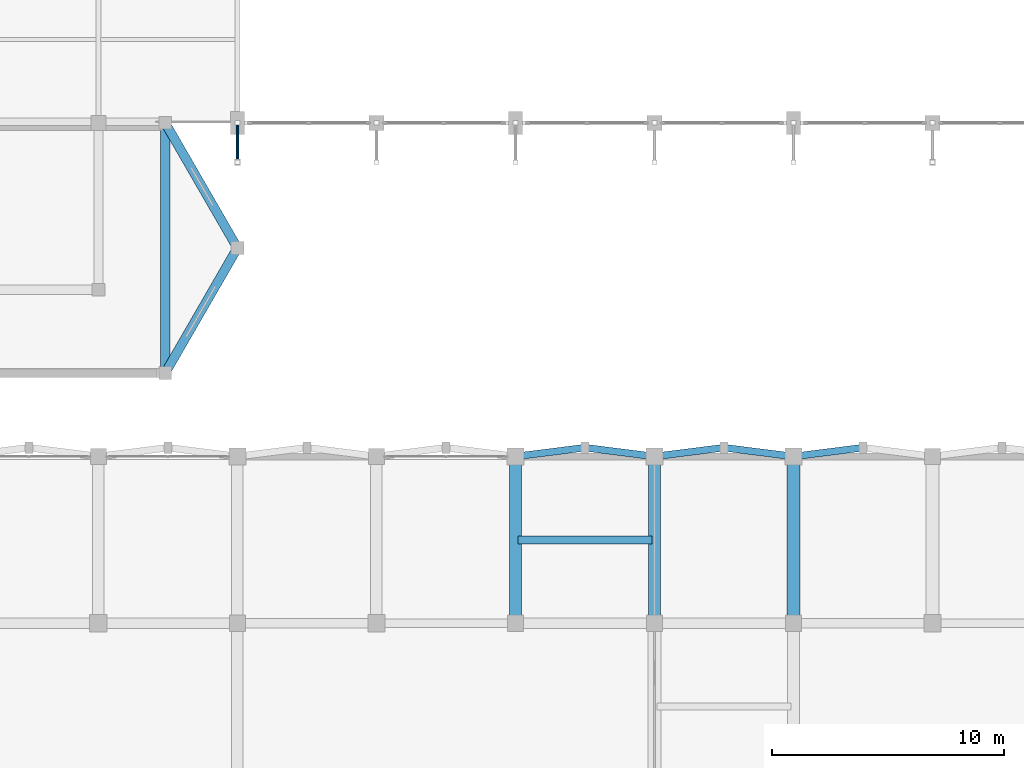
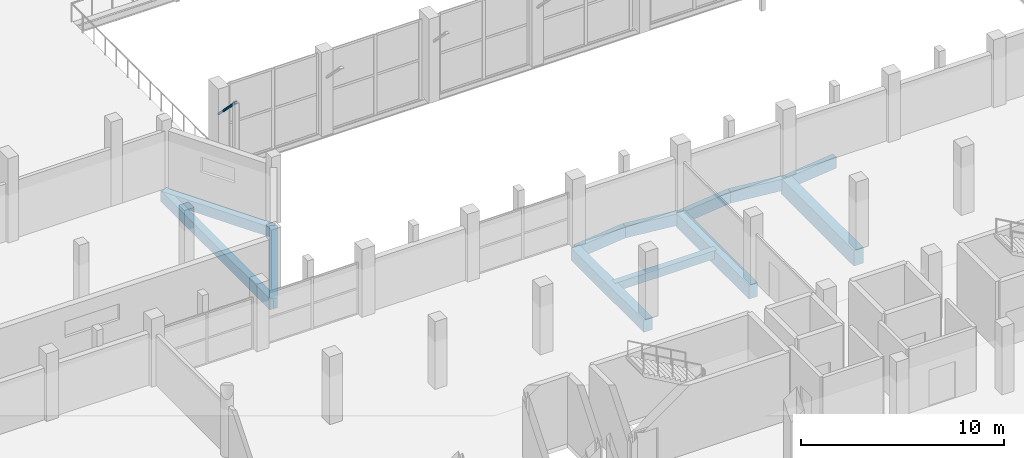
# One storey, part 18 of 127: 12 beams, 1 member.
"""IFC4 building model written with IfcOpenShell, lengths in metres."""

from ifc_helpers import new_model, si_unit, direction, frame, origin, origin_2d, place, context, subcontext, project, spatial, rectangle, hollow_circle, extrude, material, material_profile, profile_set, type_object, element, save


model = new_model("IFC4")

# Units and contexts
model_context = context("Model", 3, precision=1e-05, world=origin(), true_north=direction((0.0, 1.0)))
body_context = subcontext(model_context, "Body", "Model", "MODEL_VIEW")
ifc_project = project(units=[si_unit("LENGTHUNIT", "METRE"), si_unit("AREAUNIT", "SQUARE_METRE"), si_unit("VOLUMEUNIT", "CUBIC_METRE"), si_unit("PLANEANGLEUNIT", "RADIAN"), si_unit("MASSUNIT", "GRAM", prefix="KILO")], contexts=[model_context])

# Site, building, storey
site_placement = place(None, origin())
site = spatial("IfcSite", under=ifc_project, at=site_placement, CompositionType="ELEMENT")
building_placement = place(site_placement, origin())
building = spatial("IfcBuilding", under=site, at=building_placement, Name="Dunvalen Ferry Terminal", CompositionType="ELEMENT")
storey_placement = place(building_placement, frame((0.0, 0.0, 5.760009765625)))
storey = spatial("IfcBuildingStorey", under=building, at=storey_placement, Name="L01", CompositionType="ELEMENT", Elevation=5.760009765625)

# Beams
ifc_material_1 = material(Name="Concrete C35/45", Category="concrete")
ifc_material_profile_1 = material_profile(ifc_material_1, rectangle(XDim=0.35009765625, YDim=0.5, at=origin_2d()), Name="Concrete C35/45")
ifc_profile_set_1 = profile_set([ifc_material_profile_1], Name="Concrete C35/45")
beam_type_1 = type_object("IfcBeamType", Name="STR-BM-RCB500W", PredefinedType="JOIST", material=ifc_profile_set_1)
beam_1_placement = place(storey_placement, frame((48.10009765625, 32.39990234375, -0.510009765625), z_axis=(1.0, 0.0, 0.0), x_axis=(0.0, 1.0, 0.0)))
element("IfcBeam", 1, at=beam_1_placement, inside=storey, type_object=beam_type_1, Name="L01 V5P0 Secondary Joist 004", PredefinedType="JOIST", context=body_context, shape_type="SweptSolid", body=[
    extrude(rectangle(XDim=0.35009765625, YDim=0.5, at=origin_2d()), origin(), (0.0, 0.0, 1.0), 5.7998046875),
])
ifc_material_profile_2 = material_profile(ifc_material_1, rectangle(XDim=0.39990234375, YDim=0.60009765625, at=origin_2d()), Name="Concrete C35/45")
ifc_profile_set_2 = profile_set([ifc_material_profile_2], Name="Concrete C35/45")
beam_type_2 = type_object("IfcBeamType", Name="STR-BM-RCB600", PredefinedType="BEAM", material=ifc_profile_set_2)
for number, where, z_axis, x_axis, name in (
    (2, (32.882080078125, 39.60009765625, -0.580078125), (0.500034261589, 0.866005621943, 0.0), (-0.866005621943, 0.500034261589, 0.0), "L01 South-West Security Annex Ring Beam 02"),
    (3, (36.0, 45.0, -0.580078125), (-0.500034261589, 0.866005621943, 0.0), (-0.866005621943, -0.500034261589, 0.0), "L01 South-West Security Annex Ring Beam 03"),
):
    element("IfcBeam", number, at=place(storey_placement, frame(where, z_axis=z_axis, x_axis=x_axis)), inside=storey, type_object=beam_type_2, Name=name, PredefinedType="BEAM", context=body_context, shape_type="SweptSolid", body=[
        extrude(rectangle(XDim=0.39990234375, YDim=0.60009765625, at=origin_2d()), origin(), (0.0, 0.0, 1.0), 6.2353515625),
    ])
ifc_material_2 = material(Name="Concrete C40/50", Category="concrete")
ifc_material_profile_3 = material_profile(ifc_material_2, rectangle(XDim=0.39990234375, YDim=0.64990234375, at=origin_2d()), Name="Concrete C40/50")
ifc_profile_set_3 = profile_set([ifc_material_profile_3], Name="Concrete C40/50")
beam_type_3 = type_object("IfcBeamType", Name="STR-BM-RCB650", PredefinedType="BEAM", material=ifc_profile_set_3)
beam_2_placement = place(storey_placement, frame((32.882080078125, 39.60009765625, -0.60498046875), z_axis=(0.0, 1.0, 0.0), x_axis=(-1.0, 0.0, 0.0)))
element("IfcBeam", 4, at=beam_2_placement, inside=storey, type_object=beam_type_3, Name="L01 V1ASW Primary Girder Y-013", PredefinedType="BEAM", context=body_context, shape_type="SweptSolid", body=[
    extrude(rectangle(XDim=0.39990234375, YDim=0.64990234375, at=origin_2d()), origin(), (0.0, 0.0, 1.0), 10.7998046875),
])
ifc_material_profile_4 = material_profile(ifc_material_2, rectangle(XDim=0.5, YDim=0.75, at=origin_2d()), Name="Concrete C40/50")
ifc_profile_set_4 = profile_set([ifc_material_profile_4], Name="Concrete C40/50")
beam_type_4 = type_object("IfcBeamType", Name="STR-BM-RCB750", PredefinedType="BEAM", material=ifc_profile_set_4)
beam_3_placement = place(storey_placement, frame((48.0, 28.800048828125, -0.635009765625), z_axis=(0.0, 1.0, 0.0), x_axis=(-1.0, 0.0, 0.0)))
element("IfcBeam", 5, at=beam_3_placement, inside=storey, type_object=beam_type_4, Name="L01 V5P0 Primary Girder Y-110", PredefinedType="BEAM", context=body_context, shape_type="SweptSolid", body=[
    extrude(rectangle(XDim=0.5, YDim=0.75, at=origin_2d()), origin(), (0.0, 0.0, 1.0), 7.199951171875),
])
ifc_material_profile_5 = material_profile(ifc_material_2, rectangle(XDim=0.5, YDim=0.85009765625, at=origin_2d()), Name="Concrete C40/50")
ifc_profile_set_5 = profile_set([ifc_material_profile_5], Name="Concrete C40/50")
beam_type_5 = type_object("IfcBeamType", Name="STR-BM-RCG850", PredefinedType="BEAM", material=ifc_profile_set_5)
beam_4_placement = place(storey_placement, frame((54.0, 28.800048828125, -0.68505859375), z_axis=(0.0, 1.0, 0.0), x_axis=(-1.0, 0.0, 0.0)))
element("IfcBeam", 6, at=beam_4_placement, inside=storey, type_object=beam_type_5, Name="L01 V5P0 Primary Girder Y-115", PredefinedType="BEAM", context=body_context, shape_type="SweptSolid", body=[
    extrude(rectangle(XDim=0.5, YDim=0.85009765625, at=origin_2d()), origin(), (0.0, 0.0, 1.0), 7.199951171875),
])
ifc_material_profile_6 = material_profile(ifc_material_2, rectangle(XDim=0.550048828125, YDim=0.949951171875, at=origin_2d()), Name="Concrete C40/50")
ifc_profile_set_6 = profile_set([ifc_material_profile_6], Name="Concrete C40/50")
beam_type_6 = type_object("IfcBeamType", Name="STR-BM-RCG950", PredefinedType="BEAM", material=ifc_profile_set_6)
beam_5_placement = place(storey_placement, frame((60.0, 28.800048828125, -0.735107421875), z_axis=(0.0, 1.0, 0.0), x_axis=(-1.0, 0.0, 0.0)))
element("IfcBeam", 7, at=beam_5_placement, inside=storey, type_object=beam_type_6, Name="L01 V5P0 Primary Girder Y-120", PredefinedType="BEAM", context=body_context, shape_type="SweptSolid", body=[
    extrude(rectangle(XDim=0.550048828125, YDim=0.949951171875, at=origin_2d()), origin(), (0.0, 0.0, 1.0), 7.199951171875),
])
ifc_material_profile_7 = material_profile(ifc_material_2, rectangle(XDim=0.300048828125, YDim=0.699951171875, at=origin_2d()), Name="Concrete C40/50")
ifc_profile_set_7 = profile_set([ifc_material_profile_7], Name="Concrete C40/50")
beam_type_7 = type_object("IfcBeamType", Name="STR-BM-RCSP700", PredefinedType="SPANDREL", material=ifc_profile_set_7)
for number, where, z_axis, x_axis, name in (
    (8, (48.0, 36.0, -0.610107421875), (0.992077869489, 0.12562444376, 0.0), (-0.12562444376, 0.992077869489, 0.0), "L01 Passage Pilaster Spandrel Tie 07.1"),
    (9, (51.0, 36.3798828125, -0.610107421875), (0.992077869489, -0.12562444376, 0.0), (0.12562444376, 0.992077869489, 0.0), "L01 Passage Pilaster Spandrel Tie 07.2"),
    (10, (54.0, 36.0, -0.610107421875), (0.992077869489, 0.12562444376, 0.0), (-0.12562444376, 0.992077869489, 0.0), "L01 Passage Pilaster Spandrel Tie 08.1"),
    (11, (57.0, 36.3798828125, -0.610107421875), (0.992077869489, -0.12562444376, 0.0), (0.12562444376, 0.992077869489, 0.0), "L01 Passage Pilaster Spandrel Tie 08.2"),
    (12, (60.0, 36.0, -0.610107421875), (0.992077869489, 0.12562444376, 0.0), (-0.12562444376, 0.992077869489, 0.0), "L01 Passage Pilaster Spandrel Tie 09.1"),
):
    element("IfcBeam", number, at=place(storey_placement, frame(where, z_axis=z_axis, x_axis=x_axis)), inside=storey, type_object=beam_type_7, Name=name, PredefinedType="SPANDREL", context=body_context, shape_type="SweptSolid", body=[
        extrude(rectangle(XDim=0.300048828125, YDim=0.699951171875, at=origin_2d()), origin(), (0.0, 0.0, 1.0), 3.02392578125),
    ])

# Member
ifc_material_3 = material(Name="Steel S355", Category="steel")
ifc_material_profile_8 = material_profile(ifc_material_3, hollow_circle(Radius=0.06982421875, WallThickness=0.00634765625, at=origin_2d()), Name="Steel S355")
ifc_profile_set_8 = profile_set([ifc_material_profile_8], Name="Steel S355")
member_type = type_object("IfcMemberType", Name="STR-MB-CHS139", PredefinedType="BRACE", material=ifc_profile_set_8)
member_placement = place(storey_placement, frame((36.0, 50.39990234375, 3.18994140625), z_axis=(0.0, -0.705028038092, 0.709179431106), x_axis=(1.0, 0.0, 0.0)))
element("IfcMember", 13, at=member_placement, inside=storey, type_object=member_type, Name="Departure Hall South Eave Knee Strut 05", PredefinedType="BRACE", context=body_context, shape_type="SweptSolid", body=[
    extrude(hollow_circle(Radius=0.06982421875, WallThickness=0.00634765625, at=origin_2d()), origin(), (0.0, 0.0, 1.0), 2.4111328125),
])

save(model, "model.ifc")
